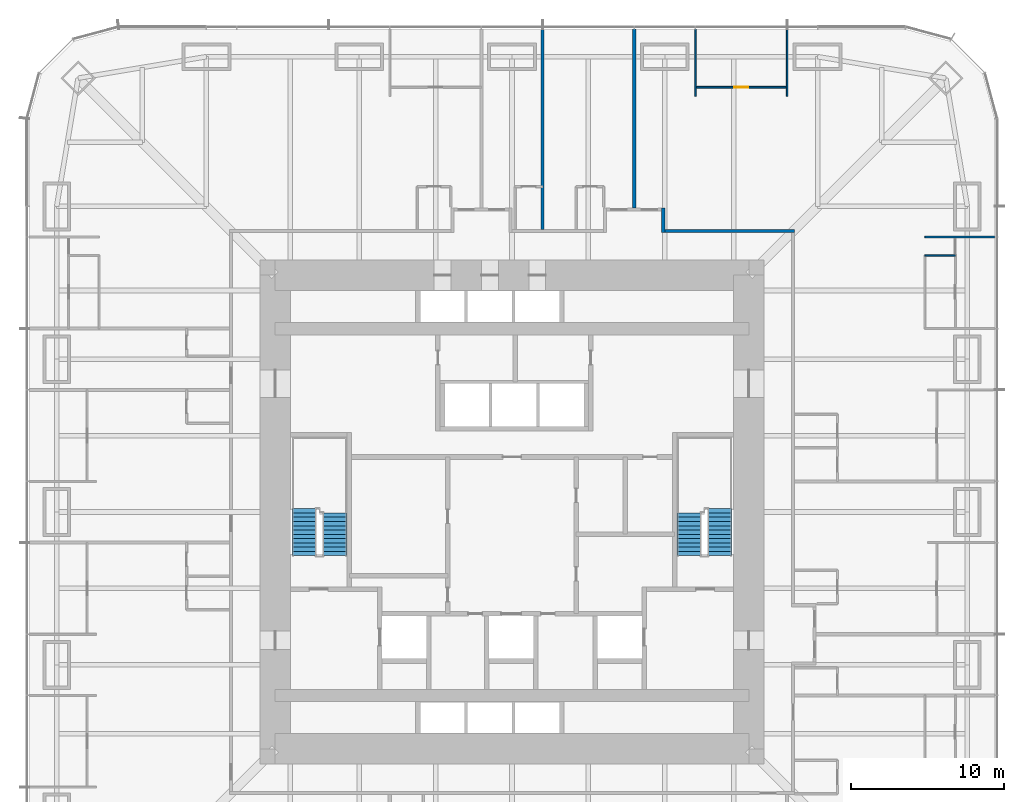
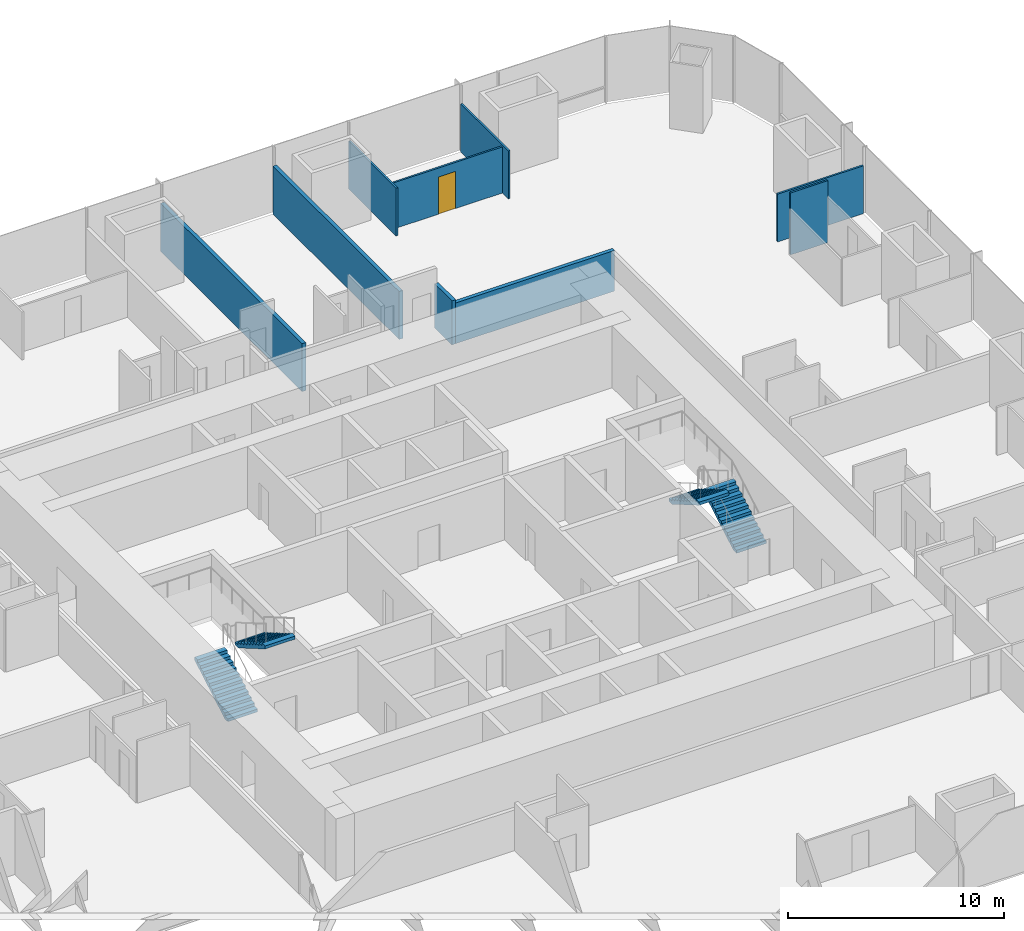
# One storey, part 16 of 17: 9 walls, 4 stair flights, 1 door, 1 opening, 2 elements without a shape of their own.
"""IFC4 building model written with IfcOpenShell, lengths in metres."""

from ifc_helpers import new_model, si_unit, direction, frame, frame_2d, origin, place, context, subcontext, project, spatial, polyline, rectangle, outline, extrude, material, layer, layer_set, type_object, element, fill, aggregate, save


model = new_model("IFC4")

# Units and contexts
model_context = context("Model", 3, precision=1e-05, world=origin(), true_north=direction((0.0, 1.0)))
body_context = subcontext(model_context, "Body", "Model", "MODEL_VIEW")
ifc_project = project(units=[si_unit("LENGTHUNIT", "METRE"), si_unit("AREAUNIT", "SQUARE_METRE"), si_unit("VOLUMEUNIT", "CUBIC_METRE"), si_unit("PLANEANGLEUNIT", "RADIAN"), si_unit("MASSUNIT", "GRAM", prefix="KILO")], contexts=[model_context])

# Site, building, storey
site_placement = place(None, origin())
site = spatial("IfcSite", under=ifc_project, at=site_placement, CompositionType="ELEMENT")
building_placement = place(site_placement, origin())
building = spatial("IfcBuilding", under=site, at=building_placement, Name="Khuree Lantern Residences", CompositionType="ELEMENT")
storey_placement = place(building_placement, frame((0.0, 0.0, 47.25)))
storey = spatial("IfcBuildingStorey", under=building, at=storey_placement, Name="L11", CompositionType="ELEMENT", Elevation=47.25)

# Walls
ifc_material_1 = material(Name="Gypsum board on steel studs", Category="steel")
ifc_layer_1 = layer(ifc_material_1, 0.199951171875)
ifc_layer_set_1 = layer_set([ifc_layer_1], Name="CORRIDOR WALL CRW200 EI 60")
wall_type_1 = type_object("IfcWallType", Name="CORRIDOR WALL CRW200 EI 60", PredefinedType="PARTITIONING", material=ifc_layer_set_1)
wall_1_placement = place(storey_placement, frame((9.89990234375, 18.300048828125, 0.0), z_axis=(0.0, 0.0, 1.0), x_axis=(0.0, 1.0, 0.0)))
element("IfcWall", 1, at=wall_1_placement, inside=storey, type_object=wall_type_1, Name="L11 CORRIDOR ALCOVE WALL NORTH", PredefinedType="PARTITIONING", context=body_context, shape_type="SweptSolid", body=[
    extrude(rectangle(XDim=1.599853515625, YDim=0.199951171875, at=frame_2d((0.7998046875, 0.0))), origin(), (0.0, 0.0, 1.0), 2.491943359375),
])
wall_2_placement = place(storey_placement, frame((10.0, 18.39990234375, 0.0), z_axis=(0.0, 0.0, 1.0), x_axis=(1.0, 0.0, 0.0)))
element("IfcWall", 2, at=wall_2_placement, inside=storey, type_object=wall_type_1, Name="L11 CORRIDOR WALL NORTH 3", PredefinedType="PARTITIONING", context=body_context, shape_type="SweptSolid", body=[
    extrude(rectangle(XDim=8.5, YDim=0.199951171875, at=frame_2d((4.25, 0.0))), origin(), (0.0, 0.0, 1.0), 2.300048828125),
])
ifc_layer_2 = layer(ifc_material_1, 0.199951171875)
ifc_layer_set_2 = layer_set([ifc_layer_2], Name="DEMISING WALL DMW200 EI 90")
wall_type_2 = type_object("IfcWallType", Name="DEMISING WALL DMW200 EI 90", PredefinedType="PARTITIONING", material=ifc_layer_set_2)
wall_3_placement = place(storey_placement, frame((8.0, 19.89990234375, 0.0), z_axis=(0.0, 0.0, 1.0), x_axis=(0.0, 1.0, 0.0)))
element("IfcWall", 3, at=wall_3_placement, inside=storey, type_object=wall_type_2, Name="L11 DEMISING WALL 03", PredefinedType="PARTITIONING", context=body_context, shape_type="SweptSolid", body=[
    extrude(rectangle(XDim=11.7001953125, YDim=0.199951171875, at=frame_2d((5.85009765625, 0.0))), origin(), (0.0, 0.0, 1.0), 2.7099609375),
])
wall_4_placement = place(storey_placement, frame((2.0, 18.5, 0.0), z_axis=(0.0, 0.0, 1.0), x_axis=(0.0, 1.0, 0.0)))
element("IfcWall", 4, at=wall_4_placement, inside=storey, type_object=wall_type_2, Name="L11 DEMISING WALL 04", PredefinedType="PARTITIONING", context=body_context, shape_type="SweptSolid", body=[
    extrude(rectangle(XDim=13.10009765625, YDim=0.199951171875, at=frame_2d((6.550048828125, 0.0))), origin(), (0.0, 0.0, 1.0), 2.7099609375),
])
ifc_layer_3 = layer(ifc_material_1, 0.10009765625)
ifc_layer_set_3 = layer_set([ifc_layer_3], Name="PARTITION PT100")
wall_type_3 = type_object("IfcWallType", Name="PARTITION PT100", PredefinedType="PARTITIONING", material=ifc_layer_set_3)
wall_5_placement = place(storey_placement, frame((27.0166015625, 18.0, 0.0), z_axis=(0.0, 0.0, 1.0), x_axis=(1.0, 0.0, 0.0)))
element("IfcWall", 5, at=wall_5_placement, inside=storey, type_object=wall_type_3, Name="L11 PARTITION 02", PredefinedType="PARTITIONING", context=body_context, shape_type="SweptSolid", body=[
    extrude(rectangle(XDim=4.58349609375, YDim=0.10009765625, at=frame_2d((2.291748046875, 0.0))), origin(), (0.0, 0.0, 1.0), 2.7099609375),
])
for number, where, z_axis, x_axis, name in (
    (6, (18.0, 27.199951171875, 0.0), (0.0, 0.0, 1.0), (0.0, 1.0, 0.0), "L11 PARTITION 02"),
    (7, (12.0, 27.199951171875, 0.0), (0.0, 0.0, 1.0), (0.0, 1.0, 0.0), "L11 PARTITION 02"),
):
    element("IfcWall", number, at=place(storey_placement, frame(where, z_axis=z_axis, x_axis=x_axis)), inside=storey, type_object=wall_type_3, Name=name, PredefinedType="PARTITIONING", context=body_context, shape_type="SweptSolid", body=[
        extrude(rectangle(XDim=4.400146484375, YDim=0.10009765625, at=frame_2d((2.2001953125, 0.0))), origin(), (0.0, 0.0, 1.0), 2.7099609375),
    ])
wall_6_placement = place(storey_placement, frame((27.0166015625, 16.800048828125, 0.0), z_axis=(0.0, 0.0, 1.0), x_axis=(1.0, 0.0, 0.0)))
element("IfcWall", 8, at=wall_6_placement, inside=storey, type_object=wall_type_3, Name="L11 PARTITION 02", PredefinedType="PARTITIONING", context=body_context, shape_type="SweptSolid", body=[
    extrude(rectangle(XDim=2.0, YDim=0.10009765625, at=frame_2d((1.0, 0.0))), origin(), (0.0, 0.0, 1.0), 3.5),
])

# Wall, opening, door
wall_7_placement = place(storey_placement, frame((18.0, 27.800048828125, 0.0), z_axis=(0.0, 0.0, 1.0), x_axis=(-1.0, 0.0, 0.0)))
wall_7 = element("IfcWall", 9, at=wall_7_placement, inside=storey, type_object=wall_type_3, Name="L11 PARTITION 02", PredefinedType="PARTITIONING", context=body_context, shape_type="SweptSolid", body=[
    extrude(rectangle(XDim=6.0, YDim=0.10009765625, at=frame_2d((3.0, 0.0))), origin(), (0.0, 0.0, 1.0), 2.610107421875),
])
opening_placement = place(wall_7_placement, frame((2.550048828125, 0.0, 0.0)))
opening = element("IfcOpeningElement", 10, at=opening_placement, cuts=wall_7, Name="Opening 11-029", PredefinedType="OPENING", context=body_context, shape_type="SweptSolid", body=[
    extrude(rectangle(XDim=0.89990234375, YDim=2.10009765625, at=frame_2d((0.449951171875, 1.050048828125))), frame((0.0, 0.06005859375, 0.0), z_axis=(0.0, -1.0, 0.0), x_axis=(1.0, 0.0, 0.0)), (0.0, 0.0, 1.0), 0.1201171875),
])
ifc_material_2 = material(Name="Timber door leaf in hardwood frame", Category="wood")
door_type = type_object("IfcDoorType", Name="BEDROOM DOOR 900X2100", OperationType="SINGLE_SWING_LEFT", PredefinedType="DOOR", material=ifc_material_2)
door_placement = place(opening_placement, origin())
door = element("IfcDoor", 11, at=door_placement, inside=storey, type_object=door_type, Name="Bedroom door 11-029", OperationType="SINGLE_SWING_LEFT", OverallHeight=2.10009765625, OverallWidth=0.89990234375, PredefinedType="DOOR", context=body_context, shape_type="SweptSolid", body=[
    extrude(rectangle(XDim=0.89990234375, YDim=2.10009765625, at=frame_2d((0.449951171875, 1.050048828125))), frame((0.0, 0.02490234375, 0.0), z_axis=(0.0, -1.0, 0.0), x_axis=(1.0, 0.0, 0.0)), (0.0, 0.0, 1.0), 0.050048828125),
])
fill(opening, door)

# Stair, stair flights
ifc_material_3 = material(Name="Concrete C40/50", Category="concrete")
stair_type = type_object("IfcStairType", Name="STAIR ST1 HALF TURN 3600", PredefinedType="HALF_TURN_STAIR", material=ifc_material_3)
stair_1_placement = place(storey_placement, origin())
stair_1 = element("IfcStair", 12, at=stair_1_placement, inside=storey, type_object=stair_type, Name="Stair ST1", PredefinedType="HALF_TURN_STAIR")
stair_flight_type = type_object("IfcStairFlightType", Name="STAIR FLIGHT SF1 1600", PredefinedType="STRAIGHT", material=ifc_material_3)
stair_flight_1_placement = place(storey_placement, frame((-13.60009765625, -2.860107421875, 0.0), z_axis=(0.0, 0.0, 1.0), x_axis=(0.0, 1.0, 0.0)))
stair_flight_1 = element("IfcStairFlight", 13, at=stair_flight_1_placement, type_object=stair_flight_type, Name="ST1 flight 1", NumberOfRisers=12, NumberOfTreads=11, PredefinedType="STRAIGHT", RiserHeight=0.163043478, TreadLength=0.28, context=body_context, shape_type="SweptSolid", body=[
    extrude(outline(polyline([(0.0, 0.0), (0.0, 0.1630859375), (0.280029296875, 0.1630859375), (0.280029296875, 0.326171875), (0.56005859375, 0.326171875), (0.56005859375, 0.489013671875), (0.840087890625, 0.489013671875), (0.840087890625, 0.652099609375), (1.1201171875, 0.652099609375), (1.1201171875, 0.815185546875), (1.39990234375, 0.815185546875), (1.39990234375, 0.978271484375), (1.679931640625, 0.978271484375), (1.679931640625, 1.141357421875), (1.9599609375, 1.141357421875), (1.9599609375, 1.304443359375), (2.239990234375, 1.304443359375), (2.239990234375, 1.46728515625), (2.52001953125, 1.46728515625), (2.52001953125, 1.63037109375), (2.800048828125, 1.63037109375), (2.800048828125, 1.79345703125), (3.080078125, 1.79345703125), (3.080078125, 1.95654296875), (3.080078125, 1.6201171875), (0.2978515625, 0.0), (0.0, 0.0)])), frame((0.0, 0.800048828125, 0.0), z_axis=(0.0, -1.0, 0.0), x_axis=(1.0, 0.0, 0.0)), (0.0, 0.0, 1.0), 1.60009765625),
])
stair_flight_2_placement = place(storey_placement, frame((-11.60009765625, -0.06005859375, 1.95654296875), z_axis=(0.0, 0.0, 1.0), x_axis=(0.0, -1.0, 0.0)))
stair_flight_2 = element("IfcStairFlight", 14, at=stair_flight_2_placement, type_object=stair_flight_type, Name="ST1 flight 2", NumberOfRisers=11, NumberOfTreads=10, PredefinedType="STRAIGHT", RiserHeight=0.163043478, TreadLength=0.28, context=body_context, shape_type="SweptSolid", body=[
    extrude(outline(polyline([(0.0, 0.0), (0.0, 0.1630859375), (0.280029296875, 0.1630859375), (0.280029296875, 0.326171875), (0.56005859375, 0.326171875), (0.56005859375, 0.489013671875), (0.840087890625, 0.489013671875), (0.840087890625, 0.652099609375), (1.1201171875, 0.652099609375), (1.1201171875, 0.815185546875), (1.39990234375, 0.815185546875), (1.39990234375, 0.978271484375), (1.679931640625, 0.978271484375), (1.679931640625, 1.141357421875), (1.9599609375, 1.141357421875), (1.9599609375, 1.304443359375), (2.239990234375, 1.304443359375), (2.239990234375, 1.46728515625), (2.52001953125, 1.46728515625), (2.52001953125, 1.63037109375), (2.800048828125, 1.63037109375), (2.800048828125, 1.79345703125), (2.800048828125, 1.45703125), (0.2978515625, 0.0), (0.0, 0.0)])), frame((0.0, 0.800048828125, 0.0), z_axis=(0.0, -1.0, 0.0), x_axis=(1.0, 0.0, 0.0)), (0.0, 0.0, 1.0), 1.60009765625),
])
aggregate(stair_1, [stair_flight_1, stair_flight_2])

stair_2_placement = place(storey_placement, origin())
stair_2 = element("IfcStair", 15, at=stair_2_placement, inside=storey, type_object=stair_type, Name="Stair ST2", PredefinedType="HALF_TURN_STAIR")
stair_flight_3_placement = place(storey_placement, frame((13.60009765625, -2.860107421875, 0.0), z_axis=(0.0, 0.0, 1.0), x_axis=(0.0, 1.0, 0.0)))
stair_flight_3 = element("IfcStairFlight", 16, at=stair_flight_3_placement, type_object=stair_flight_type, Name="ST2 flight 1", NumberOfRisers=12, NumberOfTreads=11, PredefinedType="STRAIGHT", RiserHeight=0.163043478, TreadLength=0.28, context=body_context, shape_type="SweptSolid", body=[
    extrude(outline(polyline([(0.0, 0.0), (0.0, 0.1630859375), (0.280029296875, 0.1630859375), (0.280029296875, 0.326171875), (0.56005859375, 0.326171875), (0.56005859375, 0.489013671875), (0.840087890625, 0.489013671875), (0.840087890625, 0.652099609375), (1.1201171875, 0.652099609375), (1.1201171875, 0.815185546875), (1.39990234375, 0.815185546875), (1.39990234375, 0.978271484375), (1.679931640625, 0.978271484375), (1.679931640625, 1.141357421875), (1.9599609375, 1.141357421875), (1.9599609375, 1.304443359375), (2.239990234375, 1.304443359375), (2.239990234375, 1.46728515625), (2.52001953125, 1.46728515625), (2.52001953125, 1.63037109375), (2.800048828125, 1.63037109375), (2.800048828125, 1.79345703125), (3.080078125, 1.79345703125), (3.080078125, 1.95654296875), (3.080078125, 1.6201171875), (0.2978515625, 0.0), (0.0, 0.0)])), frame((0.0, 0.800048828125, 0.0), z_axis=(0.0, -1.0, 0.0), x_axis=(1.0, 0.0, 0.0)), (0.0, 0.0, 1.0), 1.60009765625),
])
stair_flight_4_placement = place(storey_placement, frame((11.60009765625, -0.06005859375, 1.95654296875), z_axis=(0.0, 0.0, 1.0), x_axis=(0.0, -1.0, 0.0)))
stair_flight_4 = element("IfcStairFlight", 17, at=stair_flight_4_placement, type_object=stair_flight_type, Name="ST2 flight 2", NumberOfRisers=11, NumberOfTreads=10, PredefinedType="STRAIGHT", RiserHeight=0.163043478, TreadLength=0.28, context=body_context, shape_type="SweptSolid", body=[
    extrude(outline(polyline([(0.0, 0.0), (0.0, 0.1630859375), (0.280029296875, 0.1630859375), (0.280029296875, 0.326171875), (0.56005859375, 0.326171875), (0.56005859375, 0.489013671875), (0.840087890625, 0.489013671875), (0.840087890625, 0.652099609375), (1.1201171875, 0.652099609375), (1.1201171875, 0.815185546875), (1.39990234375, 0.815185546875), (1.39990234375, 0.978271484375), (1.679931640625, 0.978271484375), (1.679931640625, 1.141357421875), (1.9599609375, 1.141357421875), (1.9599609375, 1.304443359375), (2.239990234375, 1.304443359375), (2.239990234375, 1.46728515625), (2.52001953125, 1.46728515625), (2.52001953125, 1.63037109375), (2.800048828125, 1.63037109375), (2.800048828125, 1.79345703125), (2.800048828125, 1.45703125), (0.2978515625, 0.0), (0.0, 0.0)])), frame((0.0, 0.800048828125, 0.0), z_axis=(0.0, -1.0, 0.0), x_axis=(1.0, 0.0, 0.0)), (0.0, 0.0, 1.0), 1.60009765625),
])
aggregate(stair_2, [stair_flight_3, stair_flight_4])

save(model, "model.ifc")
